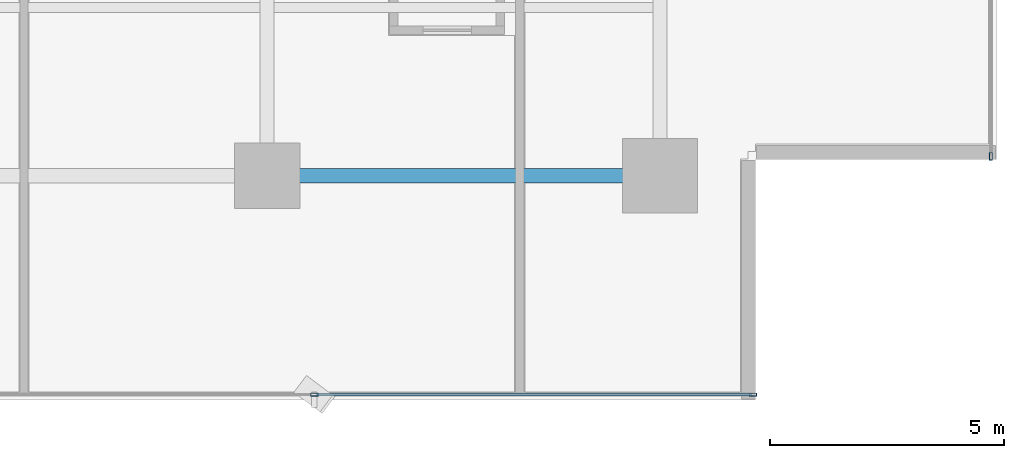
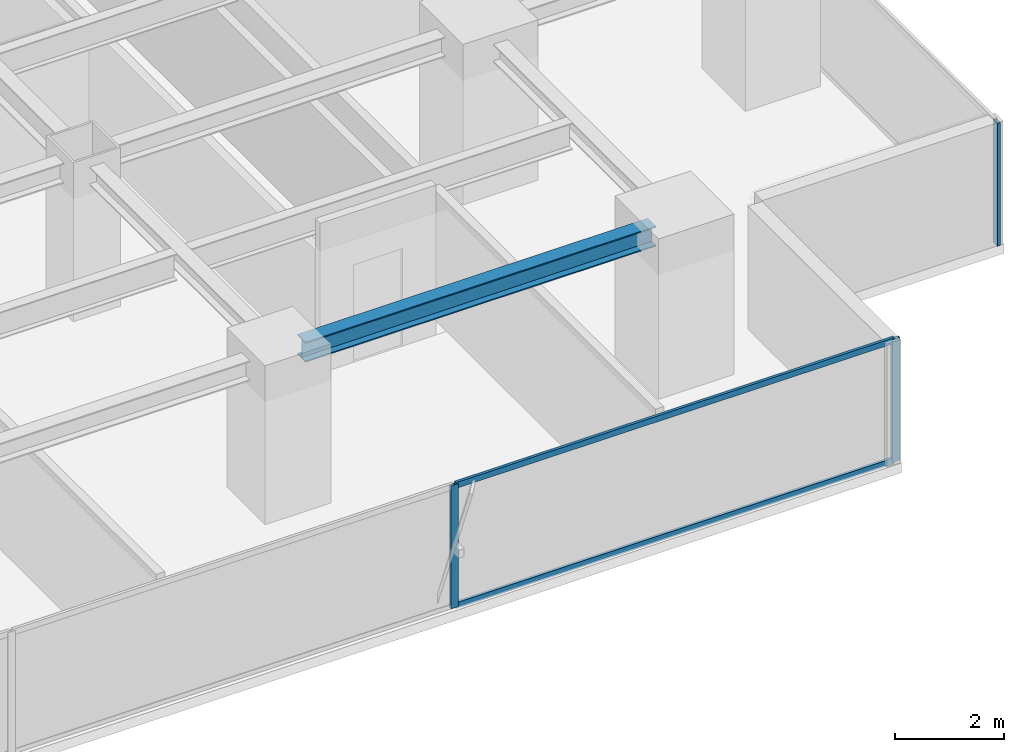
# One storey, part 9 of 28: 5 members, 1 beam, 2 elements without a shape of their own.
"""IFC4 building model written with IfcOpenShell, lengths in metres."""

import ifcopenshell
import ifcopenshell.guid

model = None  # the IFC model being written
_history = None  # IfcOwnerHistory: only IFC2X3 demands one
_inside = {}  # id of a spatial element -> (the spatial element, [elements in it])
_under = {}  # id of a project, library or spatial element -> (it, [spatial elements below it])
_declared = {}  # id of a project -> (the project, [libraries it declares])
_typed = {}  # id of a type object -> (the type object, [elements of that type])
_made_of = {}  # id of a material, layer set ... -> (it, [elements and type objects made of it])


def new_model(schema):
    """Start an empty IFC model of exactly this schema.

    Asked for "IFC4X3", IfcOpenShell would pick the latest addendum, in which some entities
    have other attributes; the version numbers below select the first issue.
    IFC2X3 requires an IfcOwnerHistory on every rooted entity: one is made here for all.
    """
    global model, _history
    if schema == "IFC4X3":
        model = ifcopenshell.file(schema_version=(4, 3, 0, 0))
    else:
        model = ifcopenshell.file(schema=schema)
    _inside.clear()
    _under.clear()
    _declared.clear()
    _typed.clear()
    _made_of.clear()
    _history = None
    if model.schema == "IFC2X3":
        org = make("IfcOrganization", Name="unknown")
        user = make(
            "IfcPersonAndOrganization",
            ThePerson=make("IfcPerson", FamilyName="unknown"),
            TheOrganization=org,
        )
        app = make(
            "IfcApplication",
            ApplicationDeveloper=org,
            Version="unknown",
            ApplicationFullName="unknown",
            ApplicationIdentifier="unknown",
        )
        _history = make(
            "IfcOwnerHistory",
            OwningUser=user,
            OwningApplication=app,
            ChangeAction="ADDED",
            CreationDate=0,
        )
    return model


def make(cls, **values):
    """One entity of the class cls with the attributes given. An attribute that is None is left unset."""
    return model.create_entity(
        cls, **{name: value for name, value in values.items() if value is not None}
    )


def rooted(cls, **values):
    """An entity with a GlobalId (a new one), such as an element, a storey or a relation."""
    return make(cls, GlobalId=ifcopenshell.guid.new(), OwnerHistory=_history, **values)


def si_unit(unit_type, name, prefix=None):
    """IfcSIUnit, for example si_unit("LENGTHUNIT", "METRE", prefix="MILLI")."""
    return make("IfcSIUnit", UnitType=unit_type, Prefix=prefix, Name=name)


def assignment(units):
    """IfcUnitAssignment: the units of a project."""
    return None if units is None else make("IfcUnitAssignment", Units=units)


def point(xyz):
    """IfcCartesianPoint."""
    return None if xyz is None else make("IfcCartesianPoint", Coordinates=xyz)


def direction(xyz):
    """IfcDirection."""
    return None if xyz is None else make("IfcDirection", DirectionRatios=xyz)


def frame(location, z_axis=None, x_axis=None):
    """IfcAxis2Placement3D, a coordinate frame: its origin and axes. An axis left out is left unset."""
    return make(
        "IfcAxis2Placement3D",
        Location=point(location),
        Axis=direction(z_axis),
        RefDirection=direction(x_axis),
    )


def frame_2d(location, x_axis=None):
    """IfcAxis2Placement2D, a coordinate frame in the plane: its origin and x axis."""
    return make(
        "IfcAxis2Placement2D", Location=point(location), RefDirection=direction(x_axis)
    )


def origin():
    """The frame at (0, 0, 0) with its axes left unset."""
    return frame((0.0, 0.0, 0.0))


def origin_2d():
    """The frame at (0, 0) in the plane with its x axis left unset."""
    return frame_2d((0.0, 0.0))


def place(relative_to, where):
    """IfcLocalPlacement: puts the frame where relative to a parent placement (None: the world)."""
    return make(
        "IfcLocalPlacement", PlacementRelTo=relative_to, RelativePlacement=where
    )


def context(
    kind, dimensions, precision=None, world=None, true_north=None, identifier=None
):
    """IfcGeometricRepresentationContext, for example the 3D "Model" context."""
    return make(
        "IfcGeometricRepresentationContext",
        ContextIdentifier=identifier,
        ContextType=kind,
        CoordinateSpaceDimension=dimensions,
        Precision=precision,
        WorldCoordinateSystem=world,
        TrueNorth=true_north,
    )


def subcontext(parent, identifier, kind, view, scale=None):
    """IfcGeometricRepresentationSubContext, for example "Body" below "Model"."""
    return make(
        "IfcGeometricRepresentationSubContext",
        ContextIdentifier=identifier,
        ContextType=kind,
        ParentContext=parent,
        TargetScale=scale,
        TargetView=view,
    )


def project(units=None, contexts=None):
    """IfcProject with its units and contexts."""
    return rooted(
        "IfcProject",
        Name="project",
        RepresentationContexts=contexts,
        UnitsInContext=assignment(units),
    )


def spatial(cls, under=None, at=None, **own):
    """A site, building, storey or space (cls), placed at a placement, below another one or the project."""
    s = rooted(cls, ObjectPlacement=at, **own)
    if under is not None:
        _under.setdefault(under.id(), (under, []))[1].append(s)
    return s


def profile(cls, at=None, kind="AREA", **sizes):
    """A parametric profile (cls). Its sizes go by their IFC names, for example OverallWidth=200.0."""
    return make(cls, ProfileType=kind, Position=at, **sizes)


def hollow_rectangle(**sizes):
    """IfcRectangleHollowProfileDef."""
    return profile("IfcRectangleHollowProfileDef", **sizes)


def i_section(**sizes):
    """IfcIShapeProfileDef."""
    return profile("IfcIShapeProfileDef", **sizes)


def extrude(swept, where, along, depth):
    """IfcExtrudedAreaSolid: the profile swept, set in the frame where, extruded along a direction by depth."""
    return make(
        "IfcExtrudedAreaSolid",
        SweptArea=swept,
        Position=where,
        ExtrudedDirection=direction(along),
        Depth=depth,
    )


def shape(context_of_items, identifier, shape_type, items):
    """IfcShapeRepresentation: the items that make up one representation, for example the "Body"."""
    return make(
        "IfcShapeRepresentation",
        ContextOfItems=context_of_items,
        RepresentationIdentifier=identifier,
        RepresentationType=shape_type,
        Items=items,
    )


def source(mapping_origin, context_of_items, identifier, shape_type, items):
    """IfcRepresentationMap: a shape defined once, which mapped items show again and again."""
    return make(
        "IfcRepresentationMap",
        MappingOrigin=mapping_origin,
        MappedRepresentation=shape(context_of_items, identifier, shape_type, items),
    )


def transform(
    local_origin,
    x_axis=None,
    y_axis=None,
    z_axis=None,
    scale=None,
    scale2=None,
    scale3=None,
    uniform=True,
):
    """IfcCartesianTransformationOperator3D, or its non-uniform kind. x_axis, y_axis, z_axis: its Axis1, 2, 3."""
    if uniform:
        return make(
            "IfcCartesianTransformationOperator3D",
            Axis1=direction(x_axis),
            Axis2=direction(y_axis),
            LocalOrigin=point(local_origin),
            Scale=scale,
            Axis3=direction(z_axis),
        )
    return make(
        "IfcCartesianTransformationOperator3DnonUniform",
        Axis1=direction(x_axis),
        Axis2=direction(y_axis),
        LocalOrigin=point(local_origin),
        Scale=scale,
        Axis3=direction(z_axis),
        Scale2=scale2,
        Scale3=scale3,
    )


def mapped(mapping_source, mapping_target):
    """IfcMappedItem: shows the shape of a source again, moved by a transform."""
    return make(
        "IfcMappedItem", MappingSource=mapping_source, MappingTarget=mapping_target
    )


def material(Name=None, Category=None):
    """IfcMaterial."""
    return make("IfcMaterial", Name=Name, Category=Category)


def layer(
    of_material, thickness, ventilated=None, Name=None, Category=None, Priority=None
):
    """IfcMaterialLayer: one layer of a wall or slab, of a material (None: an air gap)."""
    return make(
        "IfcMaterialLayer",
        Material=of_material,
        LayerThickness=thickness,
        IsVentilated=ventilated,
        Name=Name,
        Category=Category,
        Priority=Priority,
    )


def layer_set(layers, Name=None):
    """IfcMaterialLayerSet."""
    return make("IfcMaterialLayerSet", MaterialLayers=layers, LayerSetName=Name)


def material_profile(
    of_material, cross_section, Name=None, Category=None, Priority=None
):
    """IfcMaterialProfile: a cross section and its material."""
    return make(
        "IfcMaterialProfile",
        Name=Name,
        Material=of_material,
        Profile=cross_section,
        Priority=Priority,
        Category=Category,
    )


def profile_set(profiles, Name=None, composite=None):
    """IfcMaterialProfileSet."""
    return make(
        "IfcMaterialProfileSet",
        Name=Name,
        MaterialProfiles=profiles,
        CompositeProfile=composite,
    )


def made_of(thing, what):
    """Note that an element or type object is made of a material, layer set ...; save() writes the relation."""
    if what is not None:
        _made_of.setdefault(what.id(), (what, []))[1].append(thing)
    return thing


def type_object(cls, material=None, **own):
    """A type object (cls), such as IfcWallType, which elements share."""
    return made_of(rooted(cls, **own), material)


def element(
    cls,
    number,
    at=None,
    inside=None,
    cuts=None,
    type_object=None,
    material=None,
    context=None,
    identifier="Body",
    shape_type=None,
    held_by="IfcProductDefinitionShape",
    body=None,
    shapes=None,
    **own,
):
    """One element of the class cls, such as IfcWall. Its Tag is "e" and its number.

    at: its placement. inside: the storey or other place that contains it. cuts: it is an
    opening in that element (IfcRelVoidsElement). A single representation is given by context,
    identifier, shape_type and body (its items); several are given by shapes. held_by: the class
    of the entity that holds the representations. save() writes the other relations.
    """
    e = rooted(cls, Tag="e%d" % number, ObjectPlacement=at, **own)
    if body is not None:
        shapes = [shape(context, identifier, shape_type, body)]
    if shapes is not None:
        e.Representation = make(held_by, Representations=shapes)
    if inside is not None:
        _inside.setdefault(inside.id(), (inside, []))[1].append(e)
    if cuts is not None:
        rooted(
            "IfcRelVoidsElement", RelatingBuildingElement=cuts, RelatedOpeningElement=e
        )
    if type_object is not None:
        _typed.setdefault(type_object.id(), (type_object, []))[1].append(e)
    return made_of(e, material)


def aggregate(whole, parts):
    """IfcRelAggregates: a whole, such as a stair, and the parts it consists of."""
    return rooted("IfcRelAggregates", RelatingObject=whole, RelatedObjects=parts)


def save(model, path):
    """Write the relations noted so far, then the file.

    IfcRelAggregates (storeys below a building ...), IfcRelContainedInSpatialStructure (elements
    in a storey), IfcRelDefinesByType, IfcRelAssociatesMaterial and IfcRelDeclares: one each for
    every whole, place, type object, material and project.
    """
    for whole, parts in _under.values():
        aggregate(whole, parts)
    for where, things in _inside.values():
        rooted(
            "IfcRelContainedInSpatialStructure",
            RelatedElements=things,
            RelatingStructure=where,
        )
    for kind, things in _typed.values():
        rooted("IfcRelDefinesByType", RelatedObjects=things, RelatingType=kind)
    for what, things in _made_of.values():
        rooted("IfcRelAssociatesMaterial", RelatedObjects=things, RelatingMaterial=what)
    for by, libraries in _declared.values():
        rooted("IfcRelDeclares", RelatingContext=by, RelatedDefinitions=libraries)
    model.write(path)


model = new_model("IFC4")

# Units and contexts
model_context = context("Model", 3, precision=1e-05, world=origin(), true_north=direction((0.0, 1.0)))
body_context = subcontext(model_context, "Body", "Model", "MODEL_VIEW")
ifc_project = project(units=[si_unit("LENGTHUNIT", "METRE"), si_unit("AREAUNIT", "SQUARE_METRE"), si_unit("VOLUMEUNIT", "CUBIC_METRE"), si_unit("PLANEANGLEUNIT", "RADIAN"), si_unit("MASSUNIT", "GRAM", prefix="KILO")], contexts=[model_context])

# Site, building, storey
site_placement = place(None, origin())
site = spatial("IfcSite", under=ifc_project, at=site_placement, CompositionType="ELEMENT")
building_placement = place(site_placement, origin())
building = spatial("IfcBuilding", under=site, at=building_placement, Name="Sumidabori Civic Tower", CompositionType="ELEMENT")
storey_placement = place(building_placement, frame((0.0, 0.0, 174.800048828125)))
storey = spatial("IfcBuildingStorey", under=building, at=storey_placement, Name="L45", CompositionType="ELEMENT", Elevation=174.800048828125)

# Beam
ifc_material_1 = material(Name="Steel SN490", Category="steel")
ifc_material_profile_1 = material_profile(ifc_material_1, i_section(OverallWidth=0.300048828125, OverallDepth=0.449951171875, WebThickness=0.013916015625, FlangeThickness=0.02587890625, at=origin_2d()), Name="HE 450 B")
ifc_profile_set_1 = profile_set([ifc_material_profile_1], Name="Steel SN490")
beam_type = type_object("IfcBeamType", Name="BM-GIRD-450", PredefinedType="BEAM", material=ifc_profile_set_1)
shared_shape_1 = source(origin(), body_context, "Body", "SweptSolid", [
    extrude(i_section(OverallWidth=0.300048828125, OverallDepth=0.449951171875, WebThickness=0.013916015625, FlangeThickness=0.02587890625, at=origin_2d()), origin(), (0.0, 0.0, 1.0), 7.440185546875),
])
beam_placement = place(storey_placement, frame((8.8798828125, -18.0, 3.155029296875), z_axis=(1.0, 0.0, 0.0), x_axis=(0.0, 1.0, 0.0)))
element("IfcBeam", 1, at=beam_placement, inside=storey, type_object=beam_type, Name="Primary Girder L45 GX-04", PredefinedType="BEAM", context=body_context, shape_type="MappedRepresentation", body=[
    mapped(shared_shape_1, transform((0.0, 0.0, 0.0), x_axis=(1.0, 0.0, 0.0), y_axis=(0.0, 1.0, 0.0), z_axis=(0.0, 0.0, 1.0), scale=1.0)),
])

# Curtain wall, members
ifc_material_2 = material(Name="Anodised Bronze Aluminium AW-6063-T6", Category="aluminium")
ifc_layer = layer(ifc_material_2, 0.179931640625, Name="Anodised Bronze Aluminium AW-6063-T6")
ifc_layer_set = layer_set([ifc_layer], Name="Anodised Bronze Aluminium AW-6063-T6")
curtain_wall_type = type_object("IfcCurtainWallType", Name="CW-SYS-3", PredefinedType="NOTDEFINED", material=ifc_layer_set)
curtain_wall_1_placement = place(storey_placement, origin())
curtain_wall_1 = element("IfcCurtainWall", 2, at=curtain_wall_1_placement, inside=storey, type_object=curtain_wall_type, Name="Curtain Wall CW:L45:R01", PredefinedType="NOTDEFINED")
ifc_material_profile_2 = material_profile(ifc_material_2, hollow_rectangle(XDim=0.06494140625, YDim=0.159912109375, WallThickness=0.0048828125, at=origin_2d()), Name="ALU MULLION 160x65")
ifc_profile_set_2 = profile_set([ifc_material_profile_2], Name="Anodised Bronze Aluminium AW-6063-T6")
member_type_1 = type_object("IfcMemberType", Name="CW-MUL-160", PredefinedType="MULLION", material=ifc_profile_set_2)
shared_shape_2 = source(origin(), body_context, "Body", "SweptSolid", [
    extrude(hollow_rectangle(XDim=0.06494140625, YDim=0.159912109375, WallThickness=0.0048828125, at=origin_2d()), origin(), (0.0, 0.0, 1.0), 2.760009765625),
])
member_1_placement = place(storey_placement, frame((9.409912109375, -22.679931640625, 0.0), z_axis=(0.0, 0.0, 1.0), x_axis=(0.0, 1.0, 0.0)))
member_1 = element("IfcMember", 3, at=member_1_placement, type_object=member_type_1, Name="CW-3 mullion 4", PredefinedType="MULLION", context=body_context, shape_type="MappedRepresentation", body=[
    mapped(shared_shape_2, transform((0.0, 0.0, 0.0), x_axis=(1.0, 0.0, 0.0), y_axis=(0.0, 1.0, 0.0), z_axis=(0.0, 0.0, 1.0), scale=1.0)),
])
member_2_placement = place(storey_placement, frame((18.78759765625, -22.679931640625, 0.0), z_axis=(0.0, 0.0, 1.0), x_axis=(0.0, 1.0, 0.0)))
member_2 = element("IfcMember", 4, at=member_2_placement, type_object=member_type_1, Name="CW-3 mullion 5", PredefinedType="MULLION", context=body_context, shape_type="MappedRepresentation", body=[
    mapped(shared_shape_2, transform((0.0, 0.0, 0.0), x_axis=(1.0, 0.0, 0.0), y_axis=(0.0, 1.0, 0.0), z_axis=(0.0, 0.0, 1.0), scale=1.0)),
])

# Curtain wall, member
curtain_wall_2_placement = place(storey_placement, origin())
curtain_wall_2 = element("IfcCurtainWall", 5, at=curtain_wall_2_placement, inside=storey, type_object=curtain_wall_type, Name="Curtain Wall CW:L45:R04", PredefinedType="NOTDEFINED")
member_3_placement = place(storey_placement, frame((23.8798828125, -17.58740234375, 0.0), z_axis=(0.0, 0.0, 1.0), x_axis=(-1.0, 0.0, 0.0)))
member_3 = element("IfcMember", 6, at=member_3_placement, type_object=member_type_1, Name="CW-3 mullion 1", PredefinedType="MULLION", context=body_context, shape_type="MappedRepresentation", body=[
    mapped(shared_shape_2, transform((0.0, 0.0, 0.0), x_axis=(1.0, 0.0, 0.0), y_axis=(0.0, 1.0, 0.0), z_axis=(0.0, 0.0, 1.0), scale=1.0)),
])
aggregate(curtain_wall_2, [member_3])

# Member
ifc_material_profile_3 = material_profile(ifc_material_2, hollow_rectangle(XDim=0.06005859375, YDim=0.1298828125, WallThickness=0.0048828125, at=origin_2d()), Name="ALU TRANSOM 130x60")
ifc_profile_set_3 = profile_set([ifc_material_profile_3], Name="Anodised Bronze Aluminium AW-6063-T6")
member_type_2 = type_object("IfcMemberType", Name="CW-TRN-130", PredefinedType="USERDEFINED", material=ifc_profile_set_3)
shared_shape_3 = source(origin(), body_context, "Body", "SweptSolid", [
    extrude(hollow_rectangle(XDim=0.06005859375, YDim=0.1298828125, WallThickness=0.0048828125, at=origin_2d()), origin(), (0.0, 0.0, 1.0), 9.3125),
])
member_4_placement = place(storey_placement, frame((9.4423828125, -22.679931640625, 0.030029296875), z_axis=(1.0, 0.0, 0.0), x_axis=(0.0, 1.0, 0.0)))
member_4 = element("IfcMember", 7, at=member_4_placement, type_object=member_type_2, Name="CW-3 transom 4.1", ObjectType="TRANSOM", PredefinedType="USERDEFINED", context=body_context, shape_type="MappedRepresentation", body=[
    mapped(shared_shape_3, transform((0.0, 0.0, 0.0), x_axis=(1.0, 0.0, 0.0), y_axis=(0.0, 1.0, 0.0), z_axis=(0.0, 0.0, 1.0), scale=1.0)),
])

member_5_placement = place(storey_placement, frame((9.4423828125, -22.679931640625, 2.72998046875), z_axis=(1.0, 0.0, 0.0), x_axis=(0.0, 1.0, 0.0)))
member_5 = element("IfcMember", 8, at=member_5_placement, type_object=member_type_2, Name="CW-3 transom 4.2", ObjectType="TRANSOM", PredefinedType="USERDEFINED", context=body_context, shape_type="MappedRepresentation", body=[
    mapped(shared_shape_3, transform((0.0, 0.0, 0.0), x_axis=(1.0, 0.0, 0.0), y_axis=(0.0, 1.0, 0.0), z_axis=(0.0, 0.0, 1.0), scale=1.0)),
])

aggregate(curtain_wall_1, [member_1, member_2, member_4, member_5])

save(model, "model.ifc")
